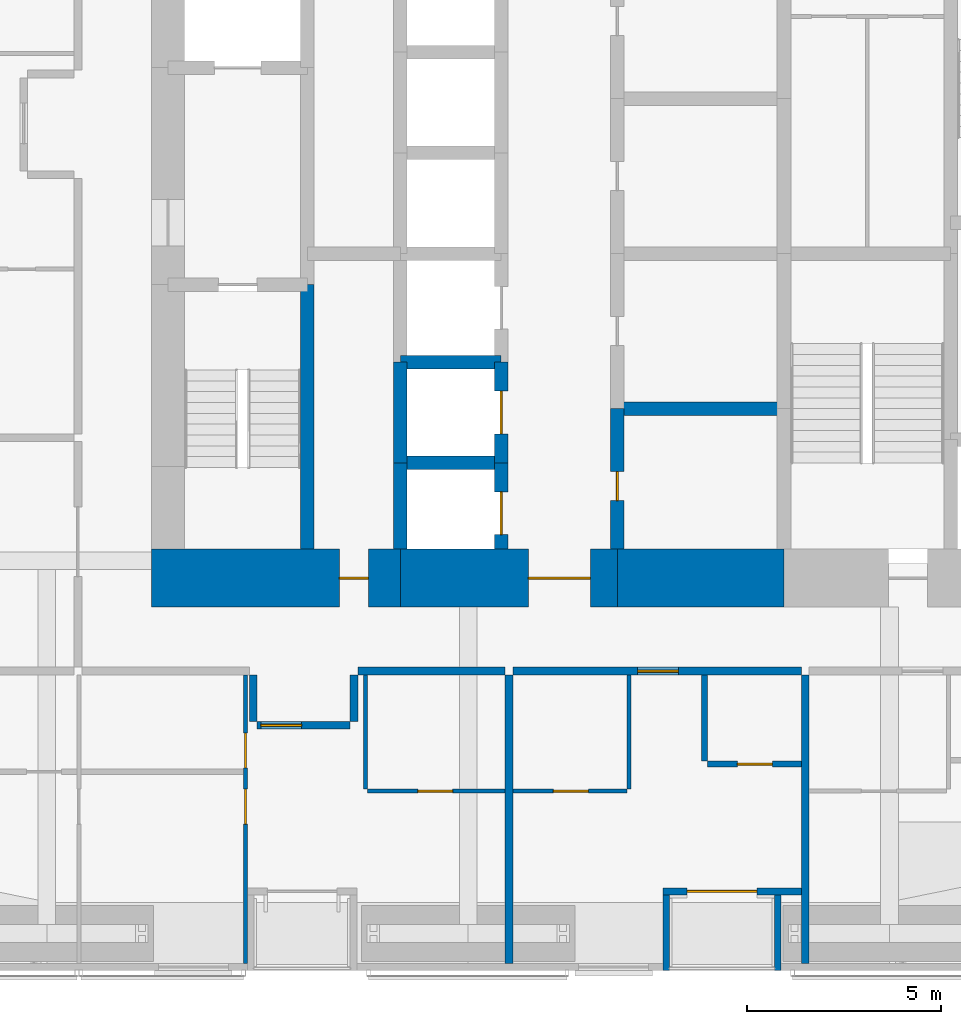
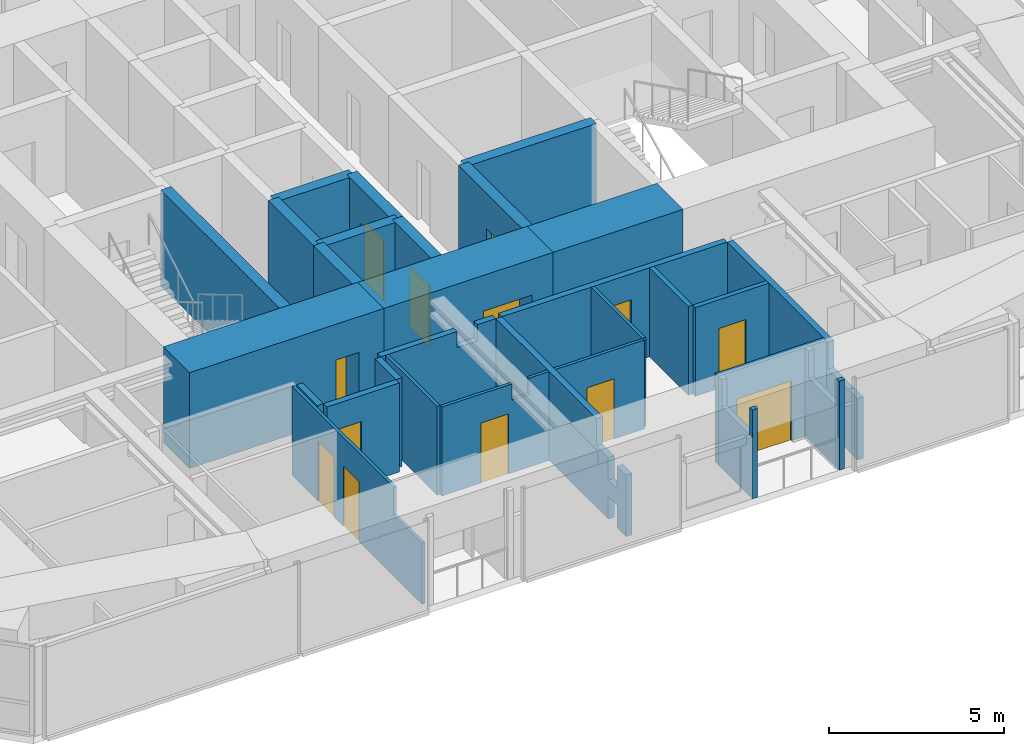
# One storey, part 18 of 25: 29 walls, 13 doors, 13 openings.
"""IFC4 building model written with IfcOpenShell, lengths in metres."""

from ifc_helpers import new_model, si_unit, direction, frame, frame_2d, origin, place, context, subcontext, project, spatial, polyline, rectangle, outline, extrude, material, layer, layer_set, constituent, constituent_set, type_object, element, fill, save


model = new_model("IFC4")

# Units and contexts
model_context = context("Model", 3, precision=1e-05, world=origin(), true_north=direction((0.0, 1.0)))
body_context = subcontext(model_context, "Body", "Model", "MODEL_VIEW")
ifc_project = project(units=[si_unit("LENGTHUNIT", "METRE"), si_unit("AREAUNIT", "SQUARE_METRE"), si_unit("VOLUMEUNIT", "CUBIC_METRE"), si_unit("PLANEANGLEUNIT", "RADIAN"), si_unit("MASSUNIT", "GRAM", prefix="KILO")], contexts=[model_context])

# Site, building, storey
site_placement = place(None, origin())
site = spatial("IfcSite", under=ifc_project, at=site_placement, CompositionType="ELEMENT")
building_placement = place(site_placement, origin())
building = spatial("IfcBuilding", under=site, at=building_placement, Name="Jalousie Tower", CompositionType="ELEMENT")
storey_placement = place(building_placement, frame((0.0, 0.0, 94.800048828125)))
storey = spatial("IfcBuildingStorey", under=building, at=storey_placement, Name="L25", CompositionType="ELEMENT", Elevation=94.800048828125)

# Wall, opening, door
ifc_material_1 = material(Name="Concrete block ASTM C90", Category="concrete")
ifc_constituent_1 = constituent(ifc_material_1, Name="Body")
ifc_material_2 = material(Name="Render")
ifc_constituent_2 = constituent(ifc_material_2, Name="Finish")
ifc_constituent_set_1 = constituent_set(constituents=[ifc_constituent_1, ifc_constituent_2])
wall_type_1 = type_object("IfcWallType", Name="BATHROOM WALL 150", PredefinedType="PLUMBINGWALL", material=ifc_constituent_set_1)
wall_1_placement = place(storey_placement, frame((33.925048828125, 5.324951171875, 0.0), z_axis=(0.0, 0.0, 1.0), x_axis=(1.0, 0.0, 0.0)))
wall_1 = element("IfcWall", 1, at=wall_1_placement, inside=storey, type_object=wall_type_1, Name="Bathroom Wall 150 L25", PredefinedType="PLUMBINGWALL", context=body_context, shape_type="SweptSolid", body=[
    extrude(rectangle(XDim=2.425048828125, YDim=0.14990234375, at=frame_2d((1.21240234375, 0.0))), origin(), (0.0, 0.0, 1.0), 3.10986328125),
])
opening_1_placement = place(wall_1_placement, frame((0.77490234375, 0.0, 0.0)))
opening_1 = element("IfcOpeningElement", 2, at=opening_1_placement, cuts=wall_1, Name="Opening D3", PredefinedType="OPENING", context=body_context, shape_type="SweptSolid", body=[
    extrude(rectangle(XDim=0.89990234375, YDim=2.10009765625, at=frame_2d((0.449951171875, 1.050048828125))), frame((0.0, 0.0849609375, 0.0), z_axis=(0.0, -1.0, 0.0), x_axis=(1.0, 0.0, 0.0)), (0.0, 0.0, 1.0), 0.169921875),
])
ifc_material_3 = material(Name="Timber door", Category="wood")
door_type_1 = type_object("IfcDoorType", Name="BATHROOM DOOR 900", OperationType="SINGLE_SWING_LEFT", PredefinedType="DOOR", material=ifc_material_3)
door_1_placement = place(opening_1_placement, origin())
door_1 = element("IfcDoor", 3, at=door_1_placement, inside=storey, type_object=door_type_1, Name="Apartment 2502 bathroom door", OperationType="SINGLE_SWING_RIGHT", OverallHeight=2.10009765625, OverallWidth=0.89990234375, PredefinedType="DOOR", context=body_context, shape_type="SweptSolid", body=[
    extrude(rectangle(XDim=0.89990234375, YDim=2.10009765625, at=frame_2d((0.449951171875, 1.050048828125))), frame((0.0, 0.02490234375, 0.0), z_axis=(0.0, -1.0, 0.0), x_axis=(1.0, 0.0, 0.0)), (0.0, 0.0, 1.0), 0.050048828125),
])
fill(opening_1, door_1)

# Wall
wall_2_placement = place(storey_placement, frame((33.85009765625, 5.39990234375, 0.0), z_axis=(0.0, 0.0, 1.0), x_axis=(0.0, 1.0, 0.0)))
element("IfcWall", 4, at=wall_2_placement, inside=storey, type_object=wall_type_1, Name="Bathroom Wall 150 L25", PredefinedType="PLUMBINGWALL", context=body_context, shape_type="SweptSolid", body=[
    extrude(rectangle(XDim=2.22509765625, YDim=0.14990234375, at=frame_2d((1.112548828125, 0.0))), origin(), (0.0, 0.0, 1.0), 3.10986328125),
])

# Wall, opening, door
ifc_material_4 = material(Name="Concrete f'c 120 MPa", Category="concrete")
ifc_layer_1 = layer(ifc_material_4, 1.5)
ifc_layer_set_1 = layer_set([ifc_layer_1], Name="Concrete f'c 120 MPa")
wall_type_2 = type_object("IfcWallType", Name="CORE WALL 1500", PredefinedType="SHEAR", material=ifc_layer_set_1)
wall_3_placement = place(storey_placement, frame((19.574951171875, 10.125, 0.0), z_axis=(0.0, 0.0, 1.0), x_axis=(1.0, 0.0, 0.0)))
wall_3 = element("IfcWall", 5, at=wall_3_placement, inside=storey, type_object=wall_type_2, Name="Core wall SA L25", PredefinedType="SHEAR", context=body_context, shape_type="SweptSolid", body=[
    extrude(rectangle(XDim=6.425048828125, YDim=1.5, at=frame_2d((3.21240234375, 0.0))), origin(), (0.0, 0.0, 1.0), 3.349853515625),
])
opening_2_placement = place(wall_3_placement, frame((4.85009765625, 0.0, 0.0)))
opening_2 = element("IfcOpeningElement", 6, at=opening_2_placement, cuts=wall_3, Name="Opening D16", PredefinedType="OPENING", context=body_context, shape_type="SweptSolid", body=[
    extrude(rectangle(XDim=0.75, YDim=2.10009765625, at=frame_2d((0.375, 1.050048828125))), frame((0.0, 0.760009765625, 0.0), z_axis=(0.0, -1.0, 0.0), x_axis=(1.0, 0.0, 0.0)), (0.0, 0.0, 1.0), 1.52001953125),
])
ifc_material_5 = material(Name="Steel fire door", Category="steel")
door_type_2 = type_object("IfcDoorType", Name="RISER DOOR 750", OperationType="SINGLE_SWING_LEFT", PredefinedType="DOOR", material=ifc_material_5)
door_2_placement = place(opening_2_placement, origin())
door_2 = element("IfcDoor", 7, at=door_2_placement, inside=storey, type_object=door_type_2, Name="South riser door", OperationType="SINGLE_SWING_LEFT", OverallHeight=2.10009765625, OverallWidth=0.75, PredefinedType="DOOR", context=body_context, shape_type="SweptSolid", body=[
    extrude(rectangle(XDim=0.75, YDim=2.10009765625, at=frame_2d((0.375, 1.050048828125))), frame((0.0, 0.02490234375, 0.0), z_axis=(0.0, -1.0, 0.0), x_axis=(1.0, 0.0, 0.0)), (0.0, 0.0, 1.0), 0.050048828125),
])
fill(opening_2, door_2)

wall_4_placement = place(storey_placement, frame((26.0, 10.125, 0.0), z_axis=(0.0, 0.0, 1.0), x_axis=(1.0, 0.0, 0.0)))
wall_4 = element("IfcWall", 8, at=wall_4_placement, inside=storey, type_object=wall_type_2, Name="Core wall SB L25", PredefinedType="SHEAR", context=body_context, shape_type="SweptSolid", body=[
    extrude(rectangle(XDim=5.60009765625, YDim=1.5, at=frame_2d((2.800048828125, 0.0))), origin(), (0.0, 0.0, 1.0), 3.349853515625),
])
opening_3_placement = place(wall_4_placement, frame((3.300048828125, 0.0, 0.0)))
opening_3 = element("IfcOpeningElement", 9, at=opening_3_placement, cuts=wall_4, Name="Opening D15", PredefinedType="OPENING", context=body_context, shape_type="SweptSolid", body=[
    extrude(rectangle(XDim=1.60009765625, YDim=2.10009765625, at=frame_2d((0.800048828125, 1.050048828125))), frame((0.0, 0.760009765625, 0.0), z_axis=(0.0, -1.0, 0.0), x_axis=(1.0, 0.0, 0.0)), (0.0, 0.0, 1.0), 1.52001953125),
])
ifc_material_6 = material(Name="Steel fire door", Category="steel")
door_type_3 = type_object("IfcDoorType", Name="LIFT LOBBY DOOR 1600", OperationType="DOUBLE_DOOR_SINGLE_SWING", PredefinedType="DOOR", material=ifc_material_6)
door_3_placement = place(opening_3_placement, origin())
door_3 = element("IfcDoor", 10, at=door_3_placement, inside=storey, type_object=door_type_3, Name="Lift lobby south door", OperationType="DOUBLE_DOOR_SINGLE_SWING", OverallHeight=2.10009765625, OverallWidth=1.60009765625, PredefinedType="DOOR", context=body_context, shape_type="SweptSolid", body=[
    extrude(rectangle(XDim=1.60009765625, YDim=2.10009765625, at=frame_2d((0.800048828125, 1.050048828125))), frame((0.0, 0.02490234375, 0.0), z_axis=(0.0, -1.0, 0.0), x_axis=(1.0, 0.0, 0.0)), (0.0, 0.0, 1.0), 0.050048828125),
])
fill(opening_3, door_3)

# Walls
wall_5_placement = place(storey_placement, frame((31.60009765625, 10.125, 0.0), z_axis=(0.0, 0.0, 1.0), x_axis=(1.0, 0.0, 0.0)))
element("IfcWall", 11, at=wall_5_placement, inside=storey, type_object=wall_type_2, Name="Core wall SC L25", PredefinedType="SHEAR", context=body_context, shape_type="SweptSolid", body=[
    extrude(rectangle(XDim=4.2998046875, YDim=1.5, at=frame_2d((2.14990234375, 0.0))), origin(), (0.0, 0.0, 1.0), 3.349853515625),
])
ifc_material_7 = material(Name="Concrete f'c 120 MPa", Category="concrete")
ifc_layer_2 = layer(ifc_material_7, 0.35009765625)
ifc_layer_set_2 = layer_set([ifc_layer_2], Name="Concrete f'c 120 MPa")
wall_type_3 = type_object("IfcWallType", Name="CORE WALL 350", PredefinedType="SHEAR", material=ifc_layer_set_2)
wall_6_placement = place(storey_placement, frame((23.60009765625, 10.875, 0.0), z_axis=(0.0, 0.0, 1.0), x_axis=(0.0, 1.0, 0.0)))
element("IfcWall", 12, at=wall_6_placement, inside=storey, type_object=wall_type_3, Name="Core wall X23.6A L25", PredefinedType="SHEAR", context=body_context, shape_type="SweptSolid", body=[
    extrude(rectangle(XDim=6.824951171875, YDim=0.35009765625, at=frame_2d((3.41259765625, 0.0))), origin(), (0.0, 0.0, 1.0), 3.349853515625),
])
wall_7_placement = place(storey_placement, frame((26.0, 10.875, 0.0), z_axis=(0.0, 0.0, 1.0), x_axis=(0.0, 1.0, 0.0)))
element("IfcWall", 13, at=wall_7_placement, inside=storey, type_object=wall_type_3, Name="Core wall X26A L25", PredefinedType="SHEAR", context=body_context, shape_type="SweptSolid", body=[
    extrude(rectangle(XDim=2.22509765625, YDim=0.35009765625, at=frame_2d((1.112548828125, 0.0))), origin(), (0.0, 0.0, 1.0), 3.349853515625),
])
wall_8_placement = place(storey_placement, frame((26.0, 13.10009765625, 0.0), z_axis=(0.0, 0.0, 1.0), x_axis=(0.0, 1.0, 0.0)))
element("IfcWall", 14, at=wall_8_placement, inside=storey, type_object=wall_type_3, Name="Core wall X26B L25", PredefinedType="SHEAR", context=body_context, shape_type="SweptSolid", body=[
    extrude(rectangle(XDim=2.599853515625, YDim=0.35009765625, at=frame_2d((1.2998046875, 0.0))), origin(), (0.0, 0.0, 1.0), 3.349853515625),
])

# Wall, opening, door
wall_9_placement = place(storey_placement, frame((28.60009765625, 10.875, 0.0), z_axis=(0.0, 0.0, 1.0), x_axis=(0.0, 1.0, 0.0)))
wall_9 = element("IfcWall", 15, at=wall_9_placement, inside=storey, type_object=wall_type_3, Name="Core wall X28.6A L25", PredefinedType="SHEAR", context=body_context, shape_type="SweptSolid", body=[
    extrude(rectangle(XDim=2.22509765625, YDim=0.35009765625, at=frame_2d((1.112548828125, 0.0))), origin(), (0.0, 0.0, 1.0), 3.349853515625),
])
opening_4_placement = place(wall_9_placement, frame((0.375, 0.0, 0.0)))
opening_4 = element("IfcOpeningElement", 16, at=opening_4_placement, cuts=wall_9, Name="Opening LD1", PredefinedType="OPENING", context=body_context, shape_type="SweptSolid", body=[
    extrude(rectangle(XDim=1.10009765625, YDim=2.10009765625, at=frame_2d((0.550048828125, 1.050048828125))), frame((0.0, 0.18505859375, 0.0), z_axis=(0.0, -1.0, 0.0), x_axis=(1.0, 0.0, 0.0)), (0.0, 0.0, 1.0), 0.3701171875),
])
ifc_material_8 = material(Name="Steel lift landing door", Category="steel")
door_type_4 = type_object("IfcDoorType", Name="LIFT LANDING DOOR 1100", OperationType="SLIDING_TO_LEFT", PredefinedType="DOOR", material=ifc_material_8)
door_4_placement = place(opening_4_placement, origin())
door_4 = element("IfcDoor", 17, at=door_4_placement, inside=storey, type_object=door_type_4, Name="Lift P1 landing door", OperationType="SLIDING_TO_LEFT", OverallHeight=2.10009765625, OverallWidth=1.10009765625, PredefinedType="DOOR", context=body_context, shape_type="SweptSolid", body=[
    extrude(rectangle(XDim=1.10009765625, YDim=2.10009765625, at=frame_2d((0.550048828125, 1.050048828125))), frame((0.0, 0.02490234375, 0.0), z_axis=(0.0, -1.0, 0.0), x_axis=(1.0, 0.0, 0.0)), (0.0, 0.0, 1.0), 0.050048828125),
])
fill(opening_4, door_4)

wall_10_placement = place(storey_placement, frame((28.60009765625, 13.10009765625, 0.0), z_axis=(0.0, 0.0, 1.0), x_axis=(0.0, 1.0, 0.0)))
wall_10 = element("IfcWall", 18, at=wall_10_placement, inside=storey, type_object=wall_type_3, Name="Core wall X28.6B L25", PredefinedType="SHEAR", context=body_context, shape_type="SweptSolid", body=[
    extrude(rectangle(XDim=2.599853515625, YDim=0.35009765625, at=frame_2d((1.2998046875, 0.0))), origin(), (0.0, 0.0, 1.0), 3.349853515625),
])
opening_5_placement = place(wall_10_placement, frame((0.75, 0.0, 0.0)))
opening_5 = element("IfcOpeningElement", 19, at=opening_5_placement, cuts=wall_10, Name="Opening LD1", PredefinedType="OPENING", context=body_context, shape_type="SweptSolid", body=[
    extrude(rectangle(XDim=1.10009765625, YDim=2.10009765625, at=frame_2d((0.550048828125, 1.050048828125))), frame((0.0, 0.18505859375, 0.0), z_axis=(0.0, -1.0, 0.0), x_axis=(1.0, 0.0, 0.0)), (0.0, 0.0, 1.0), 0.3701171875),
])
door_5_placement = place(opening_5_placement, origin())
door_5 = element("IfcDoor", 20, at=door_5_placement, inside=storey, type_object=door_type_4, Name="Lift P2 landing door", OperationType="SLIDING_TO_LEFT", OverallHeight=2.10009765625, OverallWidth=1.10009765625, PredefinedType="DOOR", context=body_context, shape_type="SweptSolid", body=[
    extrude(rectangle(XDim=1.10009765625, YDim=2.10009765625, at=frame_2d((0.550048828125, 1.050048828125))), frame((0.0, 0.02490234375, 0.0), z_axis=(0.0, -1.0, 0.0), x_axis=(1.0, 0.0, 0.0)), (0.0, 0.0, 1.0), 0.050048828125),
])
fill(opening_5, door_5)

wall_11_placement = place(storey_placement, frame((31.60009765625, 10.875, 0.0), z_axis=(0.0, 0.0, 1.0), x_axis=(0.0, 1.0, 0.0)))
wall_11 = element("IfcWall", 21, at=wall_11_placement, inside=storey, type_object=wall_type_3, Name="Core wall X31.6A L25", PredefinedType="SHEAR", context=body_context, shape_type="SweptSolid", body=[
    extrude(rectangle(XDim=3.625, YDim=0.35009765625, at=frame_2d((1.8125, 0.0))), origin(), (0.0, 0.0, 1.0), 3.349853515625),
])
opening_6_placement = place(wall_11_placement, frame((1.25, 0.0, 0.0)))
opening_6 = element("IfcOpeningElement", 22, at=opening_6_placement, cuts=wall_11, Name="Opening D16", PredefinedType="OPENING", context=body_context, shape_type="SweptSolid", body=[
    extrude(rectangle(XDim=0.75, YDim=2.10009765625, at=frame_2d((0.375, 1.050048828125))), frame((0.0, 0.18505859375, 0.0), z_axis=(0.0, -1.0, 0.0), x_axis=(1.0, 0.0, 0.0)), (0.0, 0.0, 1.0), 0.3701171875),
])
door_6_placement = place(opening_6_placement, frame((0.75, 0.0, 0.0), z_axis=(0.0, 0.0, 1.0), x_axis=(-1.0, 0.0, 0.0)))
door_6 = element("IfcDoor", 23, at=door_6_placement, inside=storey, type_object=door_type_2, Name="Refuse Room door", OperationType="SINGLE_SWING_RIGHT", OverallHeight=2.10009765625, OverallWidth=0.75, PredefinedType="DOOR", context=body_context, shape_type="SweptSolid", body=[
    extrude(rectangle(XDim=0.75, YDim=2.10009765625, at=frame_2d((0.375, 1.050048828125))), frame((0.0, 0.02490234375, 0.0), z_axis=(0.0, -1.0, 0.0), x_axis=(1.0, 0.0, 0.0)), (0.0, 0.0, 1.0), 0.050048828125),
])
fill(opening_6, door_6)

# Walls
for number, where, z_axis, x_axis, name in (
    (24, (26.0, 13.10009765625, 0.0), (0.0, 0.0, 1.0), (1.0, 0.0, 0.0), "Core wall Y26-13.1 L25"),
    (25, (26.0, 15.699951171875, 0.0), (0.0, 0.0, 1.0), (1.0, 0.0, 0.0), "Core wall Y26-15.7 L25"),
):
    element("IfcWall", number, at=place(storey_placement, frame(where, z_axis=z_axis, x_axis=x_axis)), inside=storey, type_object=wall_type_3, Name=name, PredefinedType="SHEAR", context=body_context, shape_type="SweptSolid", body=[
        extrude(rectangle(XDim=2.60009765625, YDim=0.35009765625, at=frame_2d((1.300048828125, 0.0))), origin(), (0.0, 0.0, 1.0), 3.349853515625),
    ])
wall_12_placement = place(storey_placement, frame((31.60009765625, 14.5, 0.0), z_axis=(0.0, 0.0, 1.0), x_axis=(1.0, 0.0, 0.0)))
element("IfcWall", 26, at=wall_12_placement, inside=storey, type_object=wall_type_3, Name="Core wall Y31.6-14.5 L25", PredefinedType="SHEAR", context=body_context, shape_type="SweptSolid", body=[
    extrude(rectangle(XDim=4.2998046875, YDim=0.35009765625, at=frame_2d((2.14990234375, 0.0))), origin(), (0.0, 0.0, 1.0), 3.349853515625),
])

# Wall, opening, door
ifc_material_9 = material(Name="Concrete block ASTM C90", Category="concrete")
ifc_constituent_3 = constituent(ifc_material_9, Name="Body")
ifc_material_10 = material(Name="Render")
ifc_constituent_4 = constituent(ifc_material_10, Name="Finish")
ifc_constituent_set_2 = constituent_set(constituents=[ifc_constituent_3, ifc_constituent_4])
wall_type_4 = type_object("IfcWallType", Name="CORRIDOR WALL 200", PredefinedType="PARTITIONING", material=ifc_constituent_set_2)
wall_13_placement = place(storey_placement, frame((28.89990234375, 7.72509765625, 0.0), z_axis=(0.0, 0.0, 1.0), x_axis=(1.0, 0.0, 0.0)))
wall_13 = element("IfcWall", 27, at=wall_13_placement, inside=storey, type_object=wall_type_4, Name="Corridor Wall 200 L25", PredefinedType="PARTITIONING", context=body_context, shape_type="SweptSolid", body=[
    extrude(rectangle(XDim=7.4501953125, YDim=0.199951171875, at=frame_2d((3.72509765625, 0.0))), origin(), (0.0, 0.0, 1.0), 3.10986328125),
])
opening_7_placement = place(wall_13_placement, frame((3.22509765625, 0.0, 0.0)))
opening_7 = element("IfcOpeningElement", 28, at=opening_7_placement, cuts=wall_13, Name="Opening D1", PredefinedType="OPENING", context=body_context, shape_type="SweptSolid", body=[
    extrude(rectangle(XDim=1.050048828125, YDim=2.199951171875, at=frame_2d((0.52490234375, 1.10009765625))), frame((0.0, 0.10986328125, 0.0), z_axis=(0.0, -1.0, 0.0), x_axis=(1.0, 0.0, 0.0)), (0.0, 0.0, 1.0), 0.219970703125),
])
ifc_material_11 = material(Name="Timber fire door", Category="wood")
door_type_5 = type_object("IfcDoorType", Name="APARTMENT ENTRANCE DOOR 1050", OperationType="SINGLE_SWING_LEFT", PredefinedType="DOOR", material=ifc_material_11)
door_7_placement = place(opening_7_placement, frame((1.050048828125, 0.0, 0.0), z_axis=(0.0, 0.0, 1.0), x_axis=(-1.0, 0.0, 0.0)))
door_7 = element("IfcDoor", 29, at=door_7_placement, inside=storey, type_object=door_type_5, Name="Apartment 2502 entrance", OperationType="SINGLE_SWING_RIGHT", OverallHeight=2.199951171875, OverallWidth=1.050048828125, PredefinedType="DOOR", context=body_context, shape_type="SweptSolid", body=[
    extrude(rectangle(XDim=1.050048828125, YDim=2.199951171875, at=frame_2d((0.52490234375, 1.10009765625))), frame((0.0, 0.02490234375, 0.0), z_axis=(0.0, -1.0, 0.0), x_axis=(1.0, 0.0, 0.0)), (0.0, 0.0, 1.0), 0.050048828125),
])
fill(opening_7, door_7)

# Wall
wall_14_placement = place(storey_placement, frame((24.89990234375, 7.72509765625, 0.0), z_axis=(0.0, 0.0, 1.0), x_axis=(1.0, 0.0, 0.0)))
element("IfcWall", 30, at=wall_14_placement, inside=storey, type_object=wall_type_4, Name="Corridor Wall 200 L25", PredefinedType="PARTITIONING", context=body_context, shape_type="SweptSolid", body=[
    extrude(outline(polyline([(0.0, 0.0), (3.800048828125, 0.0), (3.800048828125, 3.10986328125), (3.187255859375, 3.10986328125), (3.187255859375, 2.541015625), (2.5126953125, 2.541015625), (2.5126953125, 3.10986328125), (0.0, 3.10986328125), (0.0, 0.0)])), frame((0.0, 0.10009765625, 0.0), z_axis=(0.0, -1.0, 0.0), x_axis=(1.0, 0.0, 0.0)), (0.0, 0.0, 1.0), 0.199951171875),
])

# Wall, opening, door
wall_15_placement = place(storey_placement, frame((22.300048828125, 6.324951171875, 0.0), z_axis=(0.0, 0.0, 1.0), x_axis=(1.0, 0.0, 0.0)))
wall_15 = element("IfcWall", 31, at=wall_15_placement, inside=storey, type_object=wall_type_4, Name="Corridor Wall 200 L25", PredefinedType="PARTITIONING", context=body_context, shape_type="SweptSolid", body=[
    extrude(rectangle(XDim=2.39990234375, YDim=0.199951171875, at=frame_2d((1.199951171875, 0.0))), origin(), (0.0, 0.0, 1.0), 3.10986328125),
])
opening_8_placement = place(wall_15_placement, frame((0.10009765625, 0.0, 0.0)))
opening_8 = element("IfcOpeningElement", 32, at=opening_8_placement, cuts=wall_15, Name="Opening D1", PredefinedType="OPENING", context=body_context, shape_type="SweptSolid", body=[
    extrude(rectangle(XDim=1.050048828125, YDim=2.199951171875, at=frame_2d((0.52490234375, 1.10009765625))), frame((0.0, 0.10986328125, 0.0), z_axis=(0.0, -1.0, 0.0), x_axis=(1.0, 0.0, 0.0)), (0.0, 0.0, 1.0), 0.219970703125),
])
door_8_placement = place(opening_8_placement, frame((1.050048828125, 0.0, 0.0), z_axis=(0.0, 0.0, 1.0), x_axis=(-1.0, 0.0, 0.0)))
door_8 = element("IfcDoor", 33, at=door_8_placement, inside=storey, type_object=door_type_5, Name="Apartment 2501 entrance", OperationType="SINGLE_SWING_RIGHT", OverallHeight=2.199951171875, OverallWidth=1.050048828125, PredefinedType="DOOR", context=body_context, shape_type="SweptSolid", body=[
    extrude(rectangle(XDim=1.050048828125, YDim=2.199951171875, at=frame_2d((0.52490234375, 1.10009765625))), frame((0.0, 0.02490234375, 0.0), z_axis=(0.0, -1.0, 0.0), x_axis=(1.0, 0.0, 0.0)), (0.0, 0.0, 1.0), 0.050048828125),
])
fill(opening_8, door_8)

# Walls
for number, where, z_axis, x_axis, name in (
    (34, (22.199951171875, 7.625, 0.0), (0.0, 0.0, 1.0), (0.0, -1.0, 0.0), "Corridor Wall 200 L25"),
    (35, (24.800048828125, 7.625, 0.0), (0.0, 0.0, 1.0), (0.0, -1.0, 0.0), "Corridor Wall 200 L25"),
):
    element("IfcWall", number, at=place(storey_placement, frame(where, z_axis=z_axis, x_axis=x_axis)), inside=storey, type_object=wall_type_4, Name=name, PredefinedType="PARTITIONING", context=body_context, shape_type="SweptSolid", body=[
        extrude(rectangle(XDim=1.199951171875, YDim=0.199951171875, at=frame_2d((0.60009765625, 0.0))), origin(), (0.0, 0.0, 1.0), 3.10986328125),
    ])

# Wall, opening, door
ifc_material_12 = material(Name="Concrete f'c 40 MPa", Category="concrete")
ifc_constituent_5 = constituent(ifc_material_12, Name="Body")
ifc_material_13 = material(Name="Render, pastel sea green")
ifc_constituent_6 = constituent(ifc_material_13, Name="Finish")
ifc_constituent_set_3 = constituent_set(constituents=[ifc_constituent_5, ifc_constituent_6])
wall_type_5 = type_object("IfcWallType", Name="EXTERNAL WALL 175 SEA GREEN RENDER", PredefinedType="SOLIDWALL", material=ifc_constituent_set_3)
wall_16_placement = place(storey_placement, frame((32.77490234375, 2.03759765625, 0.0), z_axis=(0.0, 0.0, 1.0), x_axis=(1.0, 0.0, 0.0)))
wall_16 = element("IfcWall", 36, at=wall_16_placement, inside=storey, type_object=wall_type_5, Name="External Wall 175 Sea Green Render L25", PredefinedType="SOLIDWALL", context=body_context, shape_type="SweptSolid", body=[
    extrude(rectangle(XDim=3.5751953125, YDim=0.175048828125, at=frame_2d((1.78759765625, 0.0))), origin(), (0.0, 0.0, 1.0), 3.10986328125),
])
opening_9_placement = place(wall_16_placement, frame((0.625, 0.0, 0.0)))
opening_9 = element("IfcOpeningElement", 37, at=opening_9_placement, cuts=wall_16, Name="Opening D-BAL21", PredefinedType="OPENING", context=body_context, shape_type="SweptSolid", body=[
    extrude(rectangle(XDim=1.800048828125, YDim=2.10009765625, at=frame_2d((0.89990234375, 1.050048828125))), frame((0.0, 0.097412109375, 0.0), z_axis=(0.0, -1.0, 0.0), x_axis=(1.0, 0.0, 0.0)), (0.0, 0.0, 1.0), 0.195068359375),
])
ifc_material_14 = material(Name="Aluminium frame, impact-rated glazing", Category="aluminium")
door_type_6 = type_object("IfcDoorType", Name="BALCONY DOOR 1800x2100", OperationType="SLIDING_TO_LEFT", PredefinedType="DOOR", material=ifc_material_14)
door_9_placement = place(opening_9_placement, origin())
door_9 = element("IfcDoor", 38, at=door_9_placement, inside=storey, type_object=door_type_6, Name="Apartment 2502 studio living and sleeping room loggia door", OperationType="SLIDING_TO_LEFT", OverallHeight=2.10009765625, OverallWidth=1.800048828125, PredefinedType="DOOR", context=body_context, shape_type="SweptSolid", body=[
    extrude(rectangle(XDim=1.800048828125, YDim=2.10009765625, at=frame_2d((0.89990234375, 1.050048828125))), frame((0.0, 0.02490234375, 0.0), z_axis=(0.0, -1.0, 0.0), x_axis=(1.0, 0.0, 0.0)), (0.0, 0.0, 1.0), 0.050048828125),
])
fill(opening_9, door_9)

# Walls
for number, where, z_axis, x_axis, name in (
    (39, (32.862548828125, 0.0, 0.0), (0.0, 0.0, 1.0), (0.0, 1.0, 0.0), "External Wall 175 Sea Green Render L25"),
    (40, (35.737548828125, 0.0, 0.0), (0.0, 0.0, 1.0), (0.0, 1.0, 0.0), "External Wall 175 Sea Green Render L25"),
):
    element("IfcWall", number, at=place(storey_placement, frame(where, z_axis=z_axis, x_axis=x_axis)), inside=storey, type_object=wall_type_5, Name=name, PredefinedType="SOLIDWALL", context=body_context, shape_type="SweptSolid", body=[
        extrude(outline(polyline([(0.0, 0.0), (1.949951171875, 0.0), (1.949951171875, 3.10986328125), (1.75, 3.10986328125), (1.75, 2.14990234375), (0.14990234375, 2.14990234375), (0.14990234375, 3.10986328125), (0.0, 3.10986328125), (0.0, 0.0)])), frame((0.0, 0.08740234375, 0.0), z_axis=(0.0, -1.0, 0.0), x_axis=(1.0, 0.0, 0.0)), (0.0, 0.0, 1.0), 0.175048828125),
    ])

# Wall, openings, doors
ifc_material_15 = material(Name="Gypsum board", Category="gypsum")
ifc_constituent_7 = constituent(ifc_material_15, Name="Body")
ifc_material_16 = material(Name="Light-gauge steel studs ASTM A653 SS Grade 33", Category="steel")
ifc_constituent_8 = constituent(ifc_material_16, Name="Framing")
ifc_constituent_set_4 = constituent_set(constituents=[ifc_constituent_7, ifc_constituent_8])
wall_type_6 = type_object("IfcWallType", Name="PARTITION 100", PredefinedType="PARTITIONING", material=ifc_constituent_set_4)
wall_17_placement = place(storey_placement, frame((22.0, 0.175048828125, 0.0), z_axis=(0.0, 0.0, 1.0), x_axis=(0.0, 1.0, 0.0)))
wall_17 = element("IfcWall", 41, at=wall_17_placement, inside=storey, type_object=wall_type_6, Name="Partition 100 L25", PredefinedType="PARTITIONING", context=body_context, shape_type="SweptSolid", body=[
    extrude(outline(polyline([(0.0, 0.0), (7.449951171875, 0.0), (7.449951171875, 3.10986328125), (1.635009765625, 3.10986328125), (1.635009765625, 2.14990234375), (0.0, 2.14990234375), (0.0, 3.10986328125), (0.0, 0.0)])), frame((0.0, 0.050048828125, 0.0), z_axis=(0.0, -1.0, 0.0), x_axis=(1.0, 0.0, 0.0)), (0.0, 0.0, 1.0), 0.10009765625),
])
opening_10_placement = place(wall_17_placement, frame((3.60009765625, 0.0, 0.0)))
opening_10 = element("IfcOpeningElement", 42, at=opening_10_placement, cuts=wall_17, Name="Opening D2", PredefinedType="OPENING", context=body_context, shape_type="SweptSolid", body=[
    extrude(rectangle(XDim=0.89990234375, YDim=2.10009765625, at=frame_2d((0.449951171875, 1.050048828125))), frame((0.0, 0.06005859375, 0.0), z_axis=(0.0, -1.0, 0.0), x_axis=(1.0, 0.0, 0.0)), (0.0, 0.0, 1.0), 0.1201171875),
])
opening_11_placement = place(wall_17_placement, frame((5.050048828125, 0.0, 0.0)))
opening_11 = element("IfcOpeningElement", 43, at=opening_11_placement, cuts=wall_17, Name="Opening D7", PredefinedType="OPENING", context=body_context, shape_type="SweptSolid", body=[
    extrude(rectangle(XDim=0.89990234375, YDim=2.10009765625, at=frame_2d((0.449951171875, 1.050048828125))), frame((0.0, 0.06005859375, 0.0), z_axis=(0.0, -1.0, 0.0), x_axis=(1.0, 0.0, 0.0)), (0.0, 0.0, 1.0), 0.1201171875),
])
ifc_material_17 = material(Name="Timber door", Category="wood")
door_type_7 = type_object("IfcDoorType", Name="BEDROOM DOOR 900", OperationType="SINGLE_SWING_LEFT", PredefinedType="DOOR", material=ifc_material_17)
door_10_placement = place(opening_10_placement, origin())
door_10 = element("IfcDoor", 44, at=door_10_placement, inside=storey, type_object=door_type_7, Name="Apartment 2501 bedroom 3 door", OperationType="SINGLE_SWING_RIGHT", OverallHeight=2.10009765625, OverallWidth=0.89990234375, PredefinedType="DOOR", context=body_context, shape_type="SweptSolid", body=[
    extrude(rectangle(XDim=0.89990234375, YDim=2.10009765625, at=frame_2d((0.449951171875, 1.050048828125))), frame((0.0, 0.02490234375, 0.0), z_axis=(0.0, -1.0, 0.0), x_axis=(1.0, 0.0, 0.0)), (0.0, 0.0, 1.0), 0.050048828125),
])
fill(opening_10, door_10)
ifc_material_18 = material(Name="Timber door", Category="wood")
door_type_8 = type_object("IfcDoorType", Name="INTERNAL DOOR 900", OperationType="SINGLE_SWING_LEFT", PredefinedType="DOOR", material=ifc_material_18)
door_11_placement = place(opening_11_placement, origin())
door_11 = element("IfcDoor", 45, at=door_11_placement, inside=storey, type_object=door_type_8, Name="Apartment 2501 bathroom door", OperationType="SINGLE_SWING_LEFT", OverallHeight=2.10009765625, OverallWidth=0.89990234375, PredefinedType="DOOR", context=body_context, shape_type="SweptSolid", body=[
    extrude(rectangle(XDim=0.89990234375, YDim=2.10009765625, at=frame_2d((0.449951171875, 1.050048828125))), frame((0.0, 0.02490234375, 0.0), z_axis=(0.0, -1.0, 0.0), x_axis=(1.0, 0.0, 0.0)), (0.0, 0.0, 1.0), 0.050048828125),
])
fill(opening_11, door_11)

# Wall, opening, door
wall_18_placement = place(storey_placement, frame((25.14990234375, 4.625, 0.0), z_axis=(0.0, 0.0, 1.0), x_axis=(1.0, 0.0, 0.0)))
wall_18 = element("IfcWall", 46, at=wall_18_placement, inside=storey, type_object=wall_type_6, Name="Partition 100 L25", PredefinedType="PARTITIONING", context=body_context, shape_type="SweptSolid", body=[
    extrude(outline(polyline([(0.0, 0.0), (3.550048828125, 0.0), (3.550048828125, 3.10986328125), (2.88720703125, 3.10986328125), (2.88720703125, 2.541015625), (2.3125, 2.541015625), (2.3125, 3.10986328125), (0.0, 3.10986328125), (0.0, 0.0)])), frame((0.0, 0.050048828125, 0.0), z_axis=(0.0, -1.0, 0.0), x_axis=(1.0, 0.0, 0.0)), (0.0, 0.0, 1.0), 0.10009765625),
])
opening_12_placement = place(wall_18_placement, frame((1.300048828125, 0.0, 0.0)))
opening_12 = element("IfcOpeningElement", 47, at=opening_12_placement, cuts=wall_18, Name="Opening D7", PredefinedType="OPENING", context=body_context, shape_type="SweptSolid", body=[
    extrude(rectangle(XDim=0.89990234375, YDim=2.10009765625, at=frame_2d((0.449951171875, 1.050048828125))), frame((0.0, 0.06005859375, 0.0), z_axis=(0.0, -1.0, 0.0), x_axis=(1.0, 0.0, 0.0)), (0.0, 0.0, 1.0), 0.1201171875),
])
door_12_placement = place(opening_12_placement, frame((0.89990234375, 0.0, 0.0), z_axis=(0.0, 0.0, 1.0), x_axis=(-1.0, 0.0, 0.0)))
door_12 = element("IfcDoor", 48, at=door_12_placement, inside=storey, type_object=door_type_8, Name="Apartment 2501 kitchen door", OperationType="SINGLE_SWING_LEFT", OverallHeight=2.10009765625, OverallWidth=0.89990234375, PredefinedType="DOOR", context=body_context, shape_type="SweptSolid", body=[
    extrude(rectangle(XDim=0.89990234375, YDim=2.10009765625, at=frame_2d((0.449951171875, 1.050048828125))), frame((0.0, 0.02490234375, 0.0), z_axis=(0.0, -1.0, 0.0), x_axis=(1.0, 0.0, 0.0)), (0.0, 0.0, 1.0), 0.050048828125),
])
fill(opening_12, door_12)

# Wall
wall_19_placement = place(storey_placement, frame((25.10009765625, 4.675048828125, 0.0), z_axis=(0.0, 0.0, 1.0), x_axis=(0.0, 1.0, 0.0)))
element("IfcWall", 49, at=wall_19_placement, inside=storey, type_object=wall_type_6, Name="Partition 100 L25", PredefinedType="PARTITIONING", context=body_context, shape_type="SweptSolid", body=[
    extrude(rectangle(XDim=2.949951171875, YDim=0.10009765625, at=frame_2d((1.47509765625, 0.0))), origin(), (0.0, 0.0, 1.0), 3.10986328125),
])

# Wall, opening, door
wall_20_placement = place(storey_placement, frame((28.89990234375, 4.625, 0.0), z_axis=(0.0, 0.0, 1.0), x_axis=(1.0, 0.0, 0.0)))
wall_20 = element("IfcWall", 50, at=wall_20_placement, inside=storey, type_object=wall_type_6, Name="Partition 100 L25", PredefinedType="PARTITIONING", context=body_context, shape_type="SweptSolid", body=[
    extrude(rectangle(XDim=2.9501953125, YDim=0.10009765625, at=frame_2d((1.47509765625, 0.0))), origin(), (0.0, 0.0, 1.0), 3.10986328125),
])
opening_13_placement = place(wall_20_placement, frame((1.050048828125, 0.0, 0.0)))
opening_13 = element("IfcOpeningElement", 51, at=opening_13_placement, cuts=wall_20, Name="Opening D7", PredefinedType="OPENING", context=body_context, shape_type="SweptSolid", body=[
    extrude(rectangle(XDim=0.89990234375, YDim=2.10009765625, at=frame_2d((0.449951171875, 1.050048828125))), frame((0.0, 0.06005859375, 0.0), z_axis=(0.0, -1.0, 0.0), x_axis=(1.0, 0.0, 0.0)), (0.0, 0.0, 1.0), 0.1201171875),
])
door_13_placement = place(opening_13_placement, origin())
door_13 = element("IfcDoor", 52, at=door_13_placement, inside=storey, type_object=door_type_8, Name="Apartment 2502 kitchen door", OperationType="SINGLE_SWING_RIGHT", OverallHeight=2.10009765625, OverallWidth=0.89990234375, PredefinedType="DOOR", context=body_context, shape_type="SweptSolid", body=[
    extrude(rectangle(XDim=0.89990234375, YDim=2.10009765625, at=frame_2d((0.449951171875, 1.050048828125))), frame((0.0, 0.02490234375, 0.0), z_axis=(0.0, -1.0, 0.0), x_axis=(1.0, 0.0, 0.0)), (0.0, 0.0, 1.0), 0.050048828125),
])
fill(opening_13, door_13)

# Walls
wall_21_placement = place(storey_placement, frame((31.89990234375, 4.675048828125, 0.0), z_axis=(0.0, 0.0, 1.0), x_axis=(0.0, 1.0, 0.0)))
element("IfcWall", 53, at=wall_21_placement, inside=storey, type_object=wall_type_6, Name="Partition 100 L25", PredefinedType="PARTITIONING", context=body_context, shape_type="SweptSolid", body=[
    extrude(rectangle(XDim=2.949951171875, YDim=0.10009765625, at=frame_2d((1.47509765625, 0.0))), origin(), (0.0, 0.0, 1.0), 3.10986328125),
])
ifc_material_19 = material(Name="Concrete block ASTM C90", Category="concrete")
ifc_constituent_9 = constituent(ifc_material_19, Name="Body")
ifc_material_20 = material(Name="Render")
ifc_constituent_10 = constituent(ifc_material_20, Name="Finish")
ifc_constituent_set_5 = constituent_set(constituents=[ifc_constituent_9, ifc_constituent_10])
wall_type_7 = type_object("IfcWallType", Name="PARTY WALL 200", PredefinedType="PARTITIONING", material=ifc_constituent_set_5)
wall_22_placement = place(storey_placement, frame((28.800048828125, 0.175048828125, 0.0), z_axis=(0.0, 0.0, 1.0), x_axis=(0.0, 1.0, 0.0)))
element("IfcWall", 54, at=wall_22_placement, inside=storey, type_object=wall_type_7, Name="Party Wall 200 L25", PredefinedType="PARTITIONING", context=body_context, shape_type="SweptSolid", body=[
    extrude(outline(polyline([(0.52880859375, 2.14990234375), (0.0, 2.14990234375), (0.0, 0.0), (0.52880859375, 0.0), (0.52880859375, 0.7861328125), (1.021240234375, 0.7861328125), (1.021240234375, 0.0), (7.449951171875, 0.0), (7.449951171875, 3.10986328125), (1.68505859375, 3.10986328125), (1.68505859375, 2.14990234375), (1.021240234375, 2.14990234375), (1.021240234375, 1.36376953125), (0.52880859375, 1.36376953125), (0.52880859375, 2.14990234375)])), frame((0.0, 0.10009765625, 0.0), z_axis=(0.0, -1.0, 0.0), x_axis=(1.0, 0.0, 0.0)), (0.0, 0.0, 1.0), 0.199951171875),
])
wall_23_placement = place(storey_placement, frame((36.449951171875, 0.175048828125, 0.0), z_axis=(0.0, 0.0, 1.0), x_axis=(0.0, 1.0, 0.0)))
element("IfcWall", 55, at=wall_23_placement, inside=storey, type_object=wall_type_7, Name="Party Wall 200 L25", PredefinedType="PARTITIONING", context=body_context, shape_type="SweptSolid", body=[
    extrude(outline(polyline([(0.52880859375, 2.14990234375), (0.0, 2.14990234375), (0.0, 0.0), (0.52880859375, 0.0), (0.52880859375, 0.01708984375), (1.021240234375, 0.01708984375), (1.021240234375, 0.0), (7.449951171875, 0.0), (7.449951171875, 3.10986328125), (1.68505859375, 3.10986328125), (1.68505859375, 2.14990234375), (1.021240234375, 2.14990234375), (1.021240234375, 2.1328125), (0.52880859375, 2.1328125), (0.52880859375, 2.14990234375)])), frame((0.0, 0.10009765625, 0.0), z_axis=(0.0, -1.0, 0.0), x_axis=(1.0, 0.0, 0.0)), (0.0, 0.0, 1.0), 0.199951171875),
])

save(model, "model.ifc")
